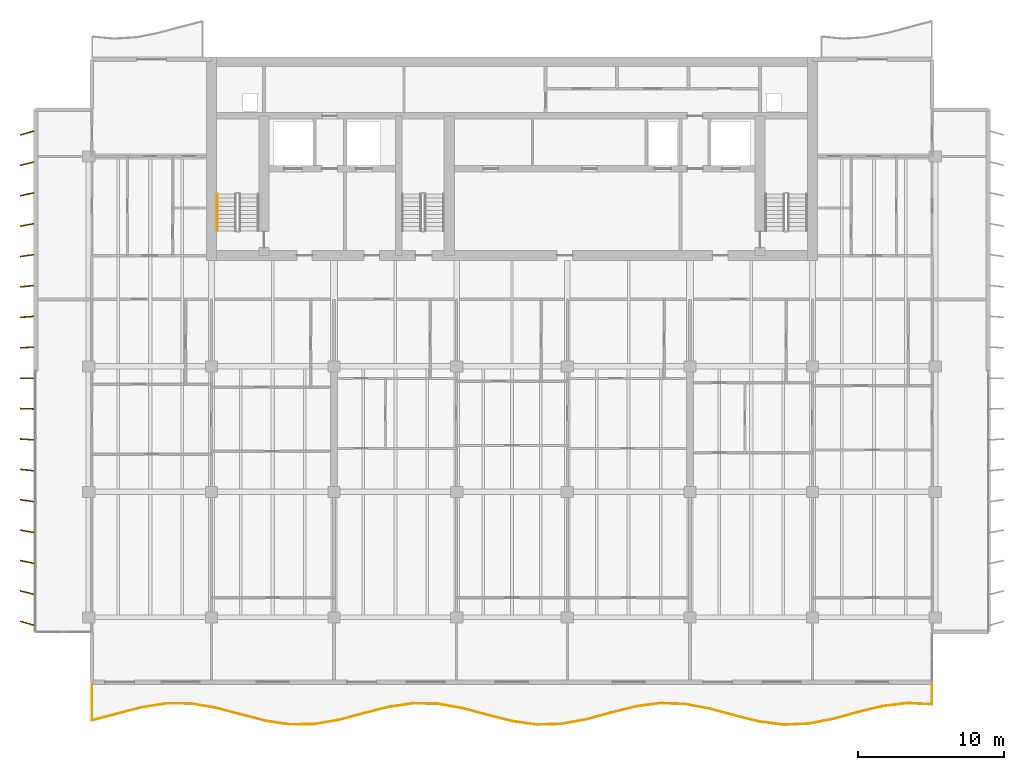
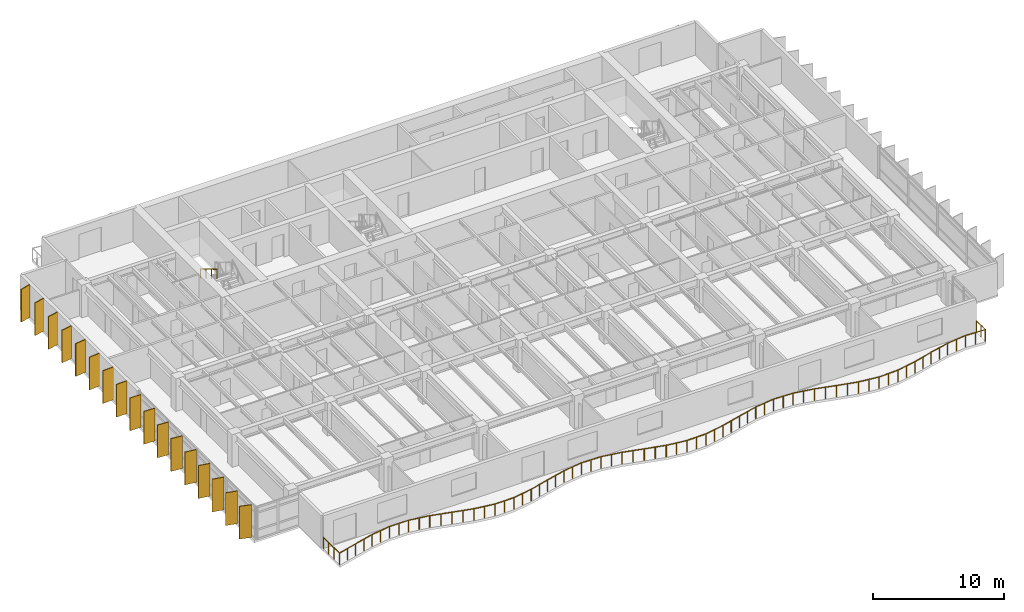
# One storey, part 14 of 17: 17 shading devices, 2 railings.
"""IFC4 building model written with IfcOpenShell, lengths in metres."""

from ifc_helpers import new_model, si_unit, direction, frame, origin, origin_2d, place, context, subcontext, project, spatial, rectangle, circle, extrude, material, material_profile, profile_set, type_object, element, save


model = new_model("IFC4")

# Units and contexts
model_context = context("Model", 3, precision=1e-05, world=origin(), true_north=direction((0.0, 1.0)))
body_context = subcontext(model_context, "Body", "Model", "MODEL_VIEW")
ifc_project = project(units=[si_unit("LENGTHUNIT", "METRE"), si_unit("AREAUNIT", "SQUARE_METRE"), si_unit("VOLUMEUNIT", "CUBIC_METRE"), si_unit("PLANEANGLEUNIT", "RADIAN"), si_unit("MASSUNIT", "GRAM", prefix="KILO")], contexts=[model_context])

# Site, building, storey
site_placement = place(None, origin())
site = spatial("IfcSite", under=ifc_project, at=site_placement, CompositionType="ELEMENT")
building_placement = place(site_placement, origin())
building = spatial("IfcBuilding", under=site, at=building_placement, Name="Caelmar Bay Residences", CompositionType="ELEMENT")
storey_placement = place(building_placement, frame((0.0, 0.0, 204.89990234375)))
storey = spatial("IfcBuildingStorey", under=building, at=storey_placement, Name="L57", CompositionType="ELEMENT", Elevation=204.89990234375)

# Railings
ifc_material_1 = material(Name="Anodised bronze handrail with laminated hurricane glass infill", Category="glass")
railing_type_1 = type_object("IfcRailingType", Name="RL-BAL-1100", PredefinedType="BALUSTRADE", material=ifc_material_1)
railing_1_placement = place(storey_placement, frame((10.10009765625, 7.60009765625, 0.0)))
element("IfcRailing", 1, at=railing_1_placement, inside=storey, type_object=railing_type_1, Name="L57 south Balcony Balustrade", PredefinedType="BALUSTRADE", context=body_context, shape_type="SweptSolid", body=[
    extrude(circle(Radius=0.02392578125, at=origin_2d()), frame((0.0, 0.0, 1.076171875), z_axis=(0.0, -1.0, 0.0), x_axis=(1.0, 0.0, 0.0)), (0.0, 0.0, 1.0), 2.4609375),
    extrude(circle(Radius=0.02392578125, at=origin_2d()), frame((0.0, -2.4609375, 1.076171875), z_axis=(0.967213419864, 0.253964959071, 0.0), x_axis=(-0.253964959071, 0.967213419864, 0.0)), (0.0, 0.0, 1.0), 1.75146484375),
    extrude(circle(Radius=0.02392578125, at=origin_2d()), frame((1.694091796875, -2.01611328125, 1.076171875), z_axis=(0.967452721497, 0.25305183593, 0.0), x_axis=(-0.25305183593, 0.967452721497, 0.0)), (0.0, 0.0, 1.0), 1.7509765625),
    extrude(circle(Radius=0.02392578125, at=origin_2d()), frame((3.38818359375, -1.572998046875, 1.076171875), z_axis=(0.987556706693, 0.15726331761, 0.0), x_axis=(-0.15726331761, 0.987556706693, 0.0)), (0.0, 0.0, 1.0), 1.71533203125),
    extrude(circle(Radius=0.02392578125, at=origin_2d()), frame((5.082275390625, -1.30322265625, 1.076171875), z_axis=(0.99998654225, -0.005187997625, 0.0), x_axis=(0.005187997625, 0.99998654225, 0.0)), (0.0, 0.0, 1.0), 1.694091796875),
    extrude(circle(Radius=0.02392578125, at=origin_2d()), frame((6.7763671875, -1.31201171875, 1.076171875), z_axis=(0.986290005776, -0.165021285013, 0.0), x_axis=(0.165021285013, 0.986290005776, 0.0)), (0.0, 0.0, 1.0), 1.717529296875),
    extrude(circle(Radius=0.02392578125, at=origin_2d()), frame((8.470458984375, -1.595458984375, 1.076171875), z_axis=(0.966698132287, -0.255919364319, 0.0), x_axis=(0.255919364319, 0.966698132287, 0.0)), (0.0, 0.0, 1.0), 1.75244140625),
    extrude(circle(Radius=0.02392578125, at=origin_2d()), frame((10.16455078125, -2.0439453125, 1.076171875), z_axis=(0.967996898166, -0.250962158784, 0.0), x_axis=(0.250962158784, 0.967996898166, 0.0)), (0.0, 0.0, 1.0), 1.75),
    extrude(circle(Radius=0.02392578125, at=origin_2d()), frame((11.858642578125, -2.483154296875, 1.076171875), z_axis=(0.988489971767, -0.151286402942, 0.0), x_axis=(0.151286402942, 0.988489971767, 0.0)), (0.0, 0.0, 1.0), 1.7138671875),
    extrude(circle(Radius=0.02392578125, at=origin_2d()), frame((13.552734375, -2.742431640625, 1.076171875), z_axis=(0.999925003662, 0.012246920074, 0.0), x_axis=(-0.012246920074, 0.999925003662, 0.0)), (0.0, 0.0, 1.0), 1.694580078125),
    extrude(circle(Radius=0.02392578125, at=origin_2d()), frame((15.2470703125, -2.7216796875, 1.076171875), z_axis=(0.985326175122, 0.17068195165, 0.0), x_axis=(-0.17068195165, 0.985326175122, 0.0)), (0.0, 0.0, 1.0), 1.71923828125),
    extrude(circle(Radius=0.02392578125, at=origin_2d()), frame((16.941162109375, -2.42822265625, 1.076171875), z_axis=(0.966248805322, 0.257610648486, 0.0), x_axis=(-0.257610648486, 0.966248805322, 0.0)), (0.0, 0.0, 1.0), 1.753173828125),
    extrude(circle(Radius=0.02392578125, at=origin_2d()), frame((18.63525390625, -1.9765625, 1.076171875), z_axis=(0.968604420654, 0.248607072083, 0.0), x_axis=(-0.248607072083, 0.968604420654, 0.0)), (0.0, 0.0, 1.0), 1.7490234375),
    extrude(circle(Radius=0.02392578125, at=origin_2d()), frame((20.329345703125, -1.541748046875, 1.076171875), z_axis=(0.989347663286, 0.145571979279, 0.0), x_axis=(-0.145571979279, 0.989347663286, 0.0)), (0.0, 0.0, 1.0), 1.71240234375),
    extrude(circle(Radius=0.02392578125, at=origin_2d()), frame((22.0234375, -1.29248046875, 1.076171875), z_axis=(0.999805154483, -0.019739631959, 0.0), x_axis=(0.019739631959, 0.999805154483, 0.0)), (0.0, 0.0, 1.0), 1.6943359375),
    extrude(circle(Radius=0.02392578125, at=origin_2d()), frame((23.717529296875, -1.325927734375, 1.076171875), z_axis=(0.984405647949, -0.175913388594, 0.0), x_axis=(0.175913388594, 0.984405647949, 0.0)), (0.0, 0.0, 1.0), 1.720947265625),
    extrude(circle(Radius=0.02392578125, at=origin_2d()), frame((25.41162109375, -1.628662109375, 1.076171875), z_axis=(0.965796942393, -0.259299568191, 0.0), x_axis=(0.259299568191, 0.965796942393, 0.0)), (0.0, 0.0, 1.0), 1.754150390625),
    extrude(circle(Radius=0.02392578125, at=origin_2d()), frame((27.105712890625, -2.08349609375, 1.076171875), z_axis=(0.969240289896, -0.246116355497, 0.0), x_axis=(0.246116355497, 0.969240289896, 0.0)), (0.0, 0.0, 1.0), 1.747802734375),
    extrude(circle(Radius=0.02392578125, at=origin_2d()), frame((28.7998046875, -2.513671875, 1.076171875), z_axis=(0.990232888477, -0.139423192397, 0.0), x_axis=(0.139423192397, 0.990232888477, 0.0)), (0.0, 0.0, 1.0), 1.710693359375),
    extrude(circle(Radius=0.02392578125, at=origin_2d()), frame((30.493896484375, -2.752197265625, 1.076171875), z_axis=(0.99963706992, 0.026939347467, 0.0), x_axis=(-0.026939347467, 0.99963706992, 0.0)), (0.0, 0.0, 1.0), 1.69482421875),
    extrude(circle(Radius=0.02392578125, at=origin_2d()), frame((32.18798828125, -2.70654296875, 1.076171875), z_axis=(0.98346381748, 0.181104720279, 0.0), x_axis=(-0.181104720279, 0.98346381748, 0.0)), (0.0, 0.0, 1.0), 1.722900390625),
    extrude(circle(Radius=0.02392578125, at=origin_2d()), frame((33.88232421875, -2.39453125, 1.076171875), z_axis=(0.965412624855, 0.260726799103, 0.0), x_axis=(-0.260726799103, 0.965412624855, 0.0)), (0.0, 0.0, 1.0), 1.7548828125),
    extrude(circle(Radius=0.02392578125, at=origin_2d()), frame((35.576416015625, -1.93701171875, 1.076171875), z_axis=(0.969936592208, 0.243357775909, 0.0), x_axis=(-0.243357775909, 0.969936592208, 0.0)), (0.0, 0.0, 1.0), 1.74658203125),
    extrude(circle(Radius=0.02392578125, at=origin_2d()), frame((37.2705078125, -1.511962890625, 1.076171875), z_axis=(0.991062477323, 0.133398523392, 0.0), x_axis=(-0.133398523392, 0.991062477323, 0.0)), (0.0, 0.0, 1.0), 1.70947265625),
    extrude(circle(Radius=0.02392578125, at=origin_2d()), frame((38.964599609375, -1.283935546875, 1.076171875), z_axis=(0.99941723541, -0.034134873151, 0.0), x_axis=(0.034134873151, 0.99941723541, 0.0)), (0.0, 0.0, 1.0), 1.695068359375),
    extrude(circle(Radius=0.02392578125, at=origin_2d()), frame((40.65869140625, -1.341796875, 1.076171875), z_axis=(0.982512882839, -0.186194616073, 0.0), x_axis=(0.186194616073, 0.982512882839, 0.0)), (0.0, 0.0, 1.0), 1.724365234375),
    extrude(circle(Radius=0.02392578125, at=origin_2d()), frame((42.352783203125, -1.662841796875, 1.076171875), z_axis=(0.965071229685, -0.261987636416, 0.0), x_axis=(0.261987636416, 0.965071229685, 0.0)), (0.0, 0.0, 1.0), 1.755615234375),
    extrude(circle(Radius=0.02392578125, at=origin_2d()), frame((44.047119140625, -2.122802734375, 1.076171875), z_axis=(0.970626021938, -0.240593278244, 0.0), x_axis=(0.240593278244, 0.970626021938, 0.0)), (0.0, 0.0, 1.0), 1.745361328125),
    extrude(circle(Radius=0.02392578125, at=origin_2d()), frame((45.7412109375, -2.542724609375, 1.076171875), z_axis=(0.991892756224, -0.127077772054, 0.0), x_axis=(0.127077772054, 0.991892756224, 0.0)), (0.0, 0.0, 1.0), 1.7080078125),
    extrude(circle(Radius=0.02392578125, at=origin_2d()), frame((47.435302734375, -2.759765625, 1.076171875), z_axis=(0.999145753411, 0.041325094571, 0.0), x_axis=(-0.041325094571, 0.999145753411, 0.0)), (0.0, 0.0, 1.0), 1.695556640625),
    extrude(circle(Radius=0.02392578125, at=origin_2d()), frame((49.12939453125, -2.689697265625, 1.076171875), z_axis=(0.981542435626, 0.191244469371, 0.0), x_axis=(-0.191244469371, 0.981542435626, 0.0)), (0.0, 0.0, 1.0), 1.725830078125),
    extrude(circle(Radius=0.02392578125, at=origin_2d()), frame((50.823486328125, -2.359619140625, 1.076171875), z_axis=(0.964815141602, 0.262929158779, 0.0), x_axis=(-0.262929158779, 0.964815141602, 0.0)), (0.0, 0.0, 1.0), 1.755859375),
    extrude(circle(Radius=0.02392578125, at=origin_2d()), frame((52.517578125, -1.89794921875, 1.076171875), z_axis=(0.971340857781, 0.23769084544, 0.0), x_axis=(-0.23769084544, 0.971340857781, 0.0)), (0.0, 0.0, 1.0), 1.744140625),
    extrude(circle(Radius=0.02392578125, at=origin_2d()), frame((54.211669921875, -1.4833984375, 1.076171875), z_axis=(0.992683982809, 0.120741501872, 0.0), x_axis=(-0.120741501872, 0.992683982809, 0.0)), (0.0, 0.0, 1.0), 1.70654296875),
    extrude(circle(Radius=0.02392578125, at=origin_2d()), frame((55.90576171875, -1.27734375, 1.076171875), z_axis=(0.998822750284, -0.048508901404, 0.0), x_axis=(0.048508901404, 0.998822750284, 0.0)), (0.0, 0.0, 1.0), 1.696044921875),
    extrude(circle(Radius=0.02392578125, at=origin_2d()), frame((57.599853515625, -1.359619140625, 1.076171875), z_axis=(0.0, 1.0, 0.0), x_axis=(-1.0, 0.0, 0.0)), (0.0, 0.0, 1.0), 1.359619140625),
    extrude(circle(Radius=0.02099609375, at=origin_2d()), origin(), (0.0, 0.0, 1.0), 1.052001953125),
    extrude(circle(Radius=0.02099609375, at=origin_2d()), frame((0.0, -0.8203125, 0.0)), (0.0, 0.0, 1.0), 1.052001953125),
    extrude(circle(Radius=0.02099609375, at=origin_2d()), frame((0.0, -1.640625, 0.0)), (0.0, 0.0, 1.0), 1.052001953125),
    extrude(circle(Radius=0.02099609375, at=origin_2d()), frame((0.0, -2.4609375, 0.0)), (0.0, 0.0, 1.0), 1.052001953125),
    extrude(circle(Radius=0.02099609375, at=origin_2d()), frame((0.84716796875, -2.238525390625, 0.0)), (0.0, 0.0, 1.0), 1.052001953125),
    extrude(circle(Radius=0.02099609375, at=origin_2d()), frame((1.694091796875, -2.01611328125, 0.0)), (0.0, 0.0, 1.0), 1.052001953125),
    extrude(circle(Radius=0.02099609375, at=origin_2d()), frame((2.541015625, -1.79443359375, 0.0)), (0.0, 0.0, 1.0), 1.052001953125),
    extrude(circle(Radius=0.02099609375, at=origin_2d()), frame((3.38818359375, -1.572998046875, 0.0)), (0.0, 0.0, 1.0), 1.052001953125),
    extrude(circle(Radius=0.02099609375, at=origin_2d()), frame((4.2353515625, -1.43798828125, 0.0)), (0.0, 0.0, 1.0), 1.052001953125),
    extrude(circle(Radius=0.02099609375, at=origin_2d()), frame((5.082275390625, -1.30322265625, 0.0)), (0.0, 0.0, 1.0), 1.052001953125),
    extrude(circle(Radius=0.02099609375, at=origin_2d()), frame((5.92919921875, -1.3076171875, 0.0)), (0.0, 0.0, 1.0), 1.052001953125),
    extrude(circle(Radius=0.02099609375, at=origin_2d()), frame((6.7763671875, -1.31201171875, 0.0)), (0.0, 0.0, 1.0), 1.052001953125),
    extrude(circle(Radius=0.02099609375, at=origin_2d()), frame((7.62353515625, -1.45361328125, 0.0)), (0.0, 0.0, 1.0), 1.052001953125),
    extrude(circle(Radius=0.02099609375, at=origin_2d()), frame((8.470458984375, -1.595458984375, 0.0)), (0.0, 0.0, 1.0), 1.052001953125),
    extrude(circle(Radius=0.02099609375, at=origin_2d()), frame((9.3173828125, -1.81982421875, 0.0)), (0.0, 0.0, 1.0), 1.052001953125),
    extrude(circle(Radius=0.02099609375, at=origin_2d()), frame((10.16455078125, -2.0439453125, 0.0)), (0.0, 0.0, 1.0), 1.052001953125),
    extrude(circle(Radius=0.02099609375, at=origin_2d()), frame((11.01171875, -2.263671875, 0.0)), (0.0, 0.0, 1.0), 1.052001953125),
    extrude(circle(Radius=0.02099609375, at=origin_2d()), frame((11.858642578125, -2.483154296875, 0.0)), (0.0, 0.0, 1.0), 1.052001953125),
    extrude(circle(Radius=0.02099609375, at=origin_2d()), frame((12.70556640625, -2.61279296875, 0.0)), (0.0, 0.0, 1.0), 1.052001953125),
    extrude(circle(Radius=0.02099609375, at=origin_2d()), frame((13.552734375, -2.742431640625, 0.0)), (0.0, 0.0, 1.0), 1.052001953125),
    extrude(circle(Radius=0.02099609375, at=origin_2d()), frame((14.39990234375, -2.73193359375, 0.0)), (0.0, 0.0, 1.0), 1.052001953125),
    extrude(circle(Radius=0.02099609375, at=origin_2d()), frame((15.2470703125, -2.7216796875, 0.0)), (0.0, 0.0, 1.0), 1.052001953125),
    extrude(circle(Radius=0.02099609375, at=origin_2d()), frame((16.09423828125, -2.574951171875, 0.0)), (0.0, 0.0, 1.0), 1.052001953125),
    extrude(circle(Radius=0.02099609375, at=origin_2d()), frame((16.941162109375, -2.42822265625, 0.0)), (0.0, 0.0, 1.0), 1.052001953125),
    extrude(circle(Radius=0.02099609375, at=origin_2d()), frame((17.7880859375, -2.202392578125, 0.0)), (0.0, 0.0, 1.0), 1.052001953125),
    extrude(circle(Radius=0.02099609375, at=origin_2d()), frame((18.63525390625, -1.9765625, 0.0)), (0.0, 0.0, 1.0), 1.052001953125),
    extrude(circle(Radius=0.02099609375, at=origin_2d()), frame((19.482421875, -1.75927734375, 0.0)), (0.0, 0.0, 1.0), 1.052001953125),
    extrude(circle(Radius=0.02099609375, at=origin_2d()), frame((20.329345703125, -1.541748046875, 0.0)), (0.0, 0.0, 1.0), 1.052001953125),
    extrude(circle(Radius=0.02099609375, at=origin_2d()), frame((21.17626953125, -1.4169921875, 0.0)), (0.0, 0.0, 1.0), 1.052001953125),
    extrude(circle(Radius=0.02099609375, at=origin_2d()), frame((22.0234375, -1.29248046875, 0.0)), (0.0, 0.0, 1.0), 1.052001953125),
    extrude(circle(Radius=0.02099609375, at=origin_2d()), frame((22.87060546875, -1.30908203125, 0.0)), (0.0, 0.0, 1.0), 1.052001953125),
    extrude(circle(Radius=0.02099609375, at=origin_2d()), frame((23.717529296875, -1.325927734375, 0.0)), (0.0, 0.0, 1.0), 1.052001953125),
    extrude(circle(Radius=0.02099609375, at=origin_2d()), frame((24.564453125, -1.477294921875, 0.0)), (0.0, 0.0, 1.0), 1.052001953125),
    extrude(circle(Radius=0.02099609375, at=origin_2d()), frame((25.41162109375, -1.628662109375, 0.0)), (0.0, 0.0, 1.0), 1.052001953125),
    extrude(circle(Radius=0.02099609375, at=origin_2d()), frame((26.2587890625, -1.85595703125, 0.0)), (0.0, 0.0, 1.0), 1.052001953125),
    extrude(circle(Radius=0.02099609375, at=origin_2d()), frame((27.105712890625, -2.08349609375, 0.0)), (0.0, 0.0, 1.0), 1.052001953125),
    extrude(circle(Radius=0.02099609375, at=origin_2d()), frame((27.95263671875, -2.298583984375, 0.0)), (0.0, 0.0, 1.0), 1.052001953125),
    extrude(circle(Radius=0.02099609375, at=origin_2d()), frame((28.7998046875, -2.513671875, 0.0)), (0.0, 0.0, 1.0), 1.052001953125),
    extrude(circle(Radius=0.02099609375, at=origin_2d()), frame((29.64697265625, -2.6328125, 0.0)), (0.0, 0.0, 1.0), 1.052001953125),
    extrude(circle(Radius=0.02099609375, at=origin_2d()), frame((30.493896484375, -2.752197265625, 0.0)), (0.0, 0.0, 1.0), 1.052001953125),
    extrude(circle(Radius=0.02099609375, at=origin_2d()), frame((31.3408203125, -2.7294921875, 0.0)), (0.0, 0.0, 1.0), 1.052001953125),
    extrude(circle(Radius=0.02099609375, at=origin_2d()), frame((32.18798828125, -2.70654296875, 0.0)), (0.0, 0.0, 1.0), 1.052001953125),
    extrude(circle(Radius=0.02099609375, at=origin_2d()), frame((33.03515625, -2.550537109375, 0.0)), (0.0, 0.0, 1.0), 1.052001953125),
    extrude(circle(Radius=0.02099609375, at=origin_2d()), frame((33.88232421875, -2.39453125, 0.0)), (0.0, 0.0, 1.0), 1.052001953125),
    extrude(circle(Radius=0.02099609375, at=origin_2d()), frame((34.7294921875, -2.165771484375, 0.0)), (0.0, 0.0, 1.0), 1.052001953125),
    extrude(circle(Radius=0.02099609375, at=origin_2d()), frame((35.576416015625, -1.93701171875, 0.0)), (0.0, 0.0, 1.0), 1.052001953125),
    extrude(circle(Radius=0.02099609375, at=origin_2d()), frame((36.42333984375, -1.724609375, 0.0)), (0.0, 0.0, 1.0), 1.052001953125),
    extrude(circle(Radius=0.02099609375, at=origin_2d()), frame((37.2705078125, -1.511962890625, 0.0)), (0.0, 0.0, 1.0), 1.052001953125),
    extrude(circle(Radius=0.02099609375, at=origin_2d()), frame((38.11767578125, -1.39794921875, 0.0)), (0.0, 0.0, 1.0), 1.052001953125),
    extrude(circle(Radius=0.02099609375, at=origin_2d()), frame((38.964599609375, -1.283935546875, 0.0)), (0.0, 0.0, 1.0), 1.052001953125),
    extrude(circle(Radius=0.02099609375, at=origin_2d()), frame((39.8115234375, -1.31298828125, 0.0)), (0.0, 0.0, 1.0), 1.052001953125),
    extrude(circle(Radius=0.02099609375, at=origin_2d()), frame((40.65869140625, -1.341796875, 0.0)), (0.0, 0.0, 1.0), 1.052001953125),
    extrude(circle(Radius=0.02099609375, at=origin_2d()), frame((41.505859375, -1.50244140625, 0.0)), (0.0, 0.0, 1.0), 1.052001953125),
    extrude(circle(Radius=0.02099609375, at=origin_2d()), frame((42.352783203125, -1.662841796875, 0.0)), (0.0, 0.0, 1.0), 1.052001953125),
    extrude(circle(Radius=0.02099609375, at=origin_2d()), frame((43.199951171875, -1.892822265625, 0.0)), (0.0, 0.0, 1.0), 1.052001953125),
    extrude(circle(Radius=0.02099609375, at=origin_2d()), frame((44.047119140625, -2.122802734375, 0.0)), (0.0, 0.0, 1.0), 1.052001953125),
    extrude(circle(Radius=0.02099609375, at=origin_2d()), frame((44.89404296875, -2.332763671875, 0.0)), (0.0, 0.0, 1.0), 1.052001953125),
    extrude(circle(Radius=0.02099609375, at=origin_2d()), frame((45.7412109375, -2.542724609375, 0.0)), (0.0, 0.0, 1.0), 1.052001953125),
    extrude(circle(Radius=0.02099609375, at=origin_2d()), frame((46.58837890625, -2.6513671875, 0.0)), (0.0, 0.0, 1.0), 1.052001953125),
    extrude(circle(Radius=0.02099609375, at=origin_2d()), frame((47.435302734375, -2.759765625, 0.0)), (0.0, 0.0, 1.0), 1.052001953125),
    extrude(circle(Radius=0.02099609375, at=origin_2d()), frame((48.2822265625, -2.724609375, 0.0)), (0.0, 0.0, 1.0), 1.052001953125),
    extrude(circle(Radius=0.02099609375, at=origin_2d()), frame((49.12939453125, -2.689697265625, 0.0)), (0.0, 0.0, 1.0), 1.052001953125),
    extrude(circle(Radius=0.02099609375, at=origin_2d()), frame((49.9765625, -2.524658203125, 0.0)), (0.0, 0.0, 1.0), 1.052001953125),
    extrude(circle(Radius=0.02099609375, at=origin_2d()), frame((50.823486328125, -2.359619140625, 0.0)), (0.0, 0.0, 1.0), 1.052001953125),
    extrude(circle(Radius=0.02099609375, at=origin_2d()), frame((51.67041015625, -2.12890625, 0.0)), (0.0, 0.0, 1.0), 1.052001953125),
    extrude(circle(Radius=0.02099609375, at=origin_2d()), frame((52.517578125, -1.89794921875, 0.0)), (0.0, 0.0, 1.0), 1.052001953125),
    extrude(circle(Radius=0.02099609375, at=origin_2d()), frame((53.36474609375, -1.690673828125, 0.0)), (0.0, 0.0, 1.0), 1.052001953125),
    extrude(circle(Radius=0.02099609375, at=origin_2d()), frame((54.211669921875, -1.4833984375, 0.0)), (0.0, 0.0, 1.0), 1.052001953125),
    extrude(circle(Radius=0.02099609375, at=origin_2d()), frame((55.05859375, -1.38037109375, 0.0)), (0.0, 0.0, 1.0), 1.052001953125),
    extrude(circle(Radius=0.02099609375, at=origin_2d()), frame((55.90576171875, -1.27734375, 0.0)), (0.0, 0.0, 1.0), 1.052001953125),
    extrude(circle(Radius=0.02099609375, at=origin_2d()), frame((56.7529296875, -1.318359375, 0.0)), (0.0, 0.0, 1.0), 1.052001953125),
    extrude(circle(Radius=0.02099609375, at=origin_2d()), frame((57.599853515625, -1.359619140625, 0.0)), (0.0, 0.0, 1.0), 1.052001953125),
    extrude(circle(Radius=0.02099609375, at=origin_2d()), frame((57.599853515625, -0.6796875, 0.0)), (0.0, 0.0, 1.0), 1.052001953125),
    extrude(circle(Radius=0.02099609375, at=origin_2d()), frame((57.599853515625, 0.0, 0.0)), (0.0, 0.0, 1.0), 1.052001953125),
])
ifc_material_2 = material(Name="Brushed bronze stainless-steel tubular handrail 900 mm", Category="steel")
railing_type_2 = type_object("IfcRailingType", Name="RL-HND-900", PredefinedType="HANDRAIL", material=ifc_material_2)
railing_2_placement = place(storey_placement, frame((18.699951171875, 41.219970703125, 1.815185546875)))
element("IfcRailing", 2, at=railing_2_placement, inside=storey, type_object=railing_type_2, Name="L57 ST1 stair handrail 2", PredefinedType="HANDRAIL", context=body_context, shape_type="SweptSolid", body=[
    extrude(circle(Radius=0.02392578125, at=origin_2d()), frame((0.0, 0.0, 0.8759765625), z_axis=(0.0, -0.861560626758, 0.507654692109), x_axis=(1.0, 0.0, 0.0)), (0.0, 0.0, 1.0), 2.925048828125),
    extrude(circle(Radius=0.02099609375, at=origin_2d()), origin(), (0.0, 0.0, 1.0), 0.851806640625),
    extrude(circle(Radius=0.02099609375, at=origin_2d()), frame((0.0, -0.840087890625, 0.494873046875)), (0.0, 0.0, 1.0), 0.851806640625),
    extrude(circle(Radius=0.02099609375, at=origin_2d()), frame((0.0, -1.679931640625, 0.989990234375)), (0.0, 0.0, 1.0), 0.851806640625),
    extrude(circle(Radius=0.02099609375, at=origin_2d()), frame((0.0, -2.52001953125, 1.48486328125)), (0.0, 0.0, 1.0), 0.851806640625),
])

# Shading devices
ifc_material_3 = material(Name="Anodised architectural bronze aluminium 6063-T6", Category="aluminium")
ifc_material_profile = material_profile(ifc_material_3, rectangle(XDim=0.074951171875, YDim=0.949951171875, at=origin_2d()), Name="BRONZE-FIN-75X950")
ifc_profile_set = profile_set([ifc_material_profile], Name="Anodised architectural bronze aluminium 6063-T6")
shading_device_type = type_object("IfcShadingDeviceType", Name="SHD-FIN-950", PredefinedType="USERDEFINED", material=ifc_profile_set)
for number, where, z_axis, x_axis, name in (
    (3, (5.64990234375, 11.800048828125, 0.0), (0.0, 0.0, 1.0), (0.275637355817, 0.961261695938, 0.0), "L57 West Bronze Solar Fin 1"),
    (4, (5.64990234375, 13.89990234375, 0.0), (0.0, 0.0, 1.0), (0.2419218956, 0.970295726276, 0.0), "L57 West Bronze Solar Fin 2"),
    (5, (5.64990234375, 16.0, 0.0), (0.0, 0.0, 1.0), (0.207911690818, 0.978147600734, 0.0), "L57 West Bronze Solar Fin 3"),
    (6, (5.64990234375, 18.10009765625, 0.0), (0.0, 0.0, 1.0), (0.173648177667, 0.984807753012, 0.0), "L57 West Bronze Solar Fin 4"),
    (7, (5.64990234375, 20.199951171875, 0.0), (0.0, 0.0, 1.0), (0.13917310096, 0.990268068742, 0.0), "L57 West Bronze Solar Fin 5"),
    (8, (5.64990234375, 22.300048828125, 0.0), (0.0, 0.0, 1.0), (0.104528463268, 0.994521895368, 0.0), "L57 West Bronze Solar Fin 6"),
    (9, (5.64990234375, 24.39990234375, 0.0), (0.0, 0.0, 1.0), (0.069756473744, 0.99756405026, 0.0), "L57 West Bronze Solar Fin 7"),
    (10, (5.64990234375, 26.5, 0.0), (0.0, 0.0, 1.0), (0.034899496703, 0.999390827019, 0.0), "L57 West Bronze Solar Fin 8"),
    (11, (5.64990234375, 28.60009765625, 0.0), (0.0, 0.0, 1.0), (0.0, 1.0, 0.0), "L57 West Bronze Solar Fin 9"),
    (12, (5.64990234375, 30.699951171875, 0.0), (0.0, 0.0, 1.0), (-0.034899496703, 0.999390827019, 0.0), "L57 West Bronze Solar Fin 10"),
    (13, (5.64990234375, 32.800048828125, 0.0), (0.0, 0.0, 1.0), (-0.069756473744, 0.99756405026, 0.0), "L57 West Bronze Solar Fin 11"),
    (14, (5.64990234375, 34.89990234375, 0.0), (0.0, 0.0, 1.0), (-0.104528463268, 0.994521895368, 0.0), "L57 West Bronze Solar Fin 12"),
    (15, (5.64990234375, 37.0, 0.0), (0.0, 0.0, 1.0), (-0.13917310096, 0.990268068742, 0.0), "L57 West Bronze Solar Fin 13"),
    (16, (5.64990234375, 39.10009765625, 0.0), (0.0, 0.0, 1.0), (-0.173648177667, 0.984807753012, 0.0), "L57 West Bronze Solar Fin 14"),
    (17, (5.64990234375, 41.199951171875, 0.0), (0.0, 0.0, 1.0), (-0.207911690818, 0.978147600734, 0.0), "L57 West Bronze Solar Fin 15"),
    (18, (5.64990234375, 43.300048828125, 0.0), (0.0, 0.0, 1.0), (-0.2419218956, 0.970295726276, 0.0), "L57 West Bronze Solar Fin 16"),
    (19, (5.64990234375, 45.39990234375, 0.0), (0.0, 0.0, 1.0), (-0.275637355817, 0.961261695938, 0.0), "L57 West Bronze Solar Fin 17"),
):
    element("IfcShadingDevice", number, at=place(storey_placement, frame(where, z_axis=z_axis, x_axis=x_axis)), inside=storey, type_object=shading_device_type, Name=name, ObjectType="FIN", PredefinedType="USERDEFINED", context=body_context, shape_type="SweptSolid", body=[
        extrude(rectangle(XDim=0.074951171875, YDim=0.949951171875, at=origin_2d()), origin(), (0.0, 0.0, 1.0), 3.050048828125),
    ])

save(model, "model.ifc")
